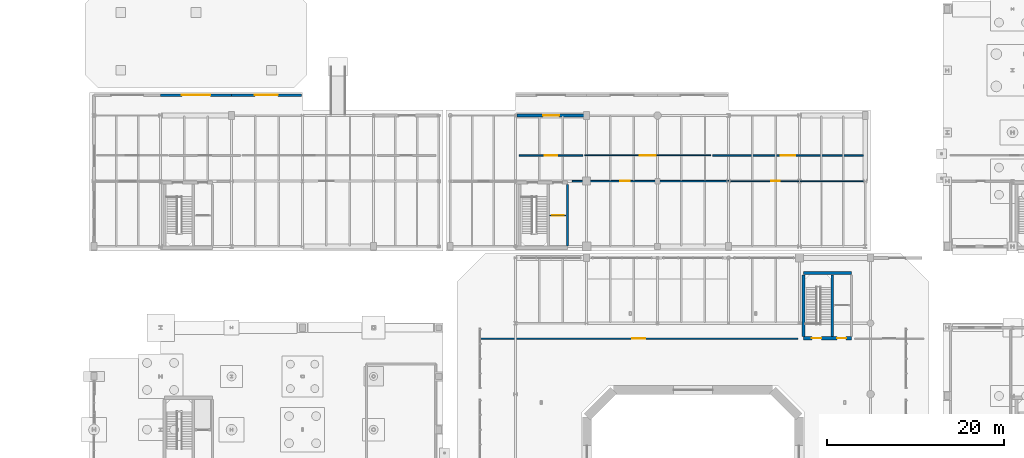
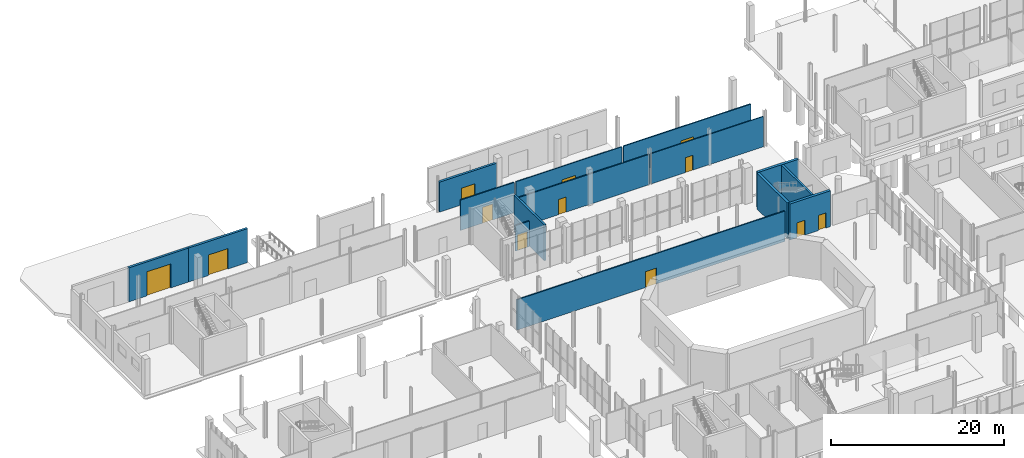
# One storey, part 70 of 87: 15 walls, 12 doors, 12 openings.
"""IFC4 building model written with IfcOpenShell, lengths in metres."""

import ifcopenshell
import ifcopenshell.guid

model = None  # the IFC model being written
_history = None  # IfcOwnerHistory: only IFC2X3 demands one
_inside = {}  # id of a spatial element -> (the spatial element, [elements in it])
_under = {}  # id of a project, library or spatial element -> (it, [spatial elements below it])
_declared = {}  # id of a project -> (the project, [libraries it declares])
_typed = {}  # id of a type object -> (the type object, [elements of that type])
_made_of = {}  # id of a material, layer set ... -> (it, [elements and type objects made of it])


def new_model(schema):
    """Start an empty IFC model of exactly this schema.

    Asked for "IFC4X3", IfcOpenShell would pick the latest addendum, in which some entities
    have other attributes; the version numbers below select the first issue.
    IFC2X3 requires an IfcOwnerHistory on every rooted entity: one is made here for all.
    """
    global model, _history
    if schema == "IFC4X3":
        model = ifcopenshell.file(schema_version=(4, 3, 0, 0))
    else:
        model = ifcopenshell.file(schema=schema)
    _inside.clear()
    _under.clear()
    _declared.clear()
    _typed.clear()
    _made_of.clear()
    _history = None
    if model.schema == "IFC2X3":
        org = make("IfcOrganization", Name="unknown")
        user = make(
            "IfcPersonAndOrganization",
            ThePerson=make("IfcPerson", FamilyName="unknown"),
            TheOrganization=org,
        )
        app = make(
            "IfcApplication",
            ApplicationDeveloper=org,
            Version="unknown",
            ApplicationFullName="unknown",
            ApplicationIdentifier="unknown",
        )
        _history = make(
            "IfcOwnerHistory",
            OwningUser=user,
            OwningApplication=app,
            ChangeAction="ADDED",
            CreationDate=0,
        )
    return model


def make(cls, **values):
    """One entity of the class cls with the attributes given. An attribute that is None is left unset."""
    return model.create_entity(
        cls, **{name: value for name, value in values.items() if value is not None}
    )


def rooted(cls, **values):
    """An entity with a GlobalId (a new one), such as an element, a storey or a relation."""
    return make(cls, GlobalId=ifcopenshell.guid.new(), OwnerHistory=_history, **values)


def si_unit(unit_type, name, prefix=None):
    """IfcSIUnit, for example si_unit("LENGTHUNIT", "METRE", prefix="MILLI")."""
    return make("IfcSIUnit", UnitType=unit_type, Prefix=prefix, Name=name)


def assignment(units):
    """IfcUnitAssignment: the units of a project."""
    return None if units is None else make("IfcUnitAssignment", Units=units)


def point(xyz):
    """IfcCartesianPoint."""
    return None if xyz is None else make("IfcCartesianPoint", Coordinates=xyz)


def direction(xyz):
    """IfcDirection."""
    return None if xyz is None else make("IfcDirection", DirectionRatios=xyz)


def frame(location, z_axis=None, x_axis=None):
    """IfcAxis2Placement3D, a coordinate frame: its origin and axes. An axis left out is left unset."""
    return make(
        "IfcAxis2Placement3D",
        Location=point(location),
        Axis=direction(z_axis),
        RefDirection=direction(x_axis),
    )


def frame_2d(location, x_axis=None):
    """IfcAxis2Placement2D, a coordinate frame in the plane: its origin and x axis."""
    return make(
        "IfcAxis2Placement2D", Location=point(location), RefDirection=direction(x_axis)
    )


def origin():
    """The frame at (0, 0, 0) with its axes left unset."""
    return frame((0.0, 0.0, 0.0))


def place(relative_to, where):
    """IfcLocalPlacement: puts the frame where relative to a parent placement (None: the world)."""
    return make(
        "IfcLocalPlacement", PlacementRelTo=relative_to, RelativePlacement=where
    )


def context(
    kind, dimensions, precision=None, world=None, true_north=None, identifier=None
):
    """IfcGeometricRepresentationContext, for example the 3D "Model" context."""
    return make(
        "IfcGeometricRepresentationContext",
        ContextIdentifier=identifier,
        ContextType=kind,
        CoordinateSpaceDimension=dimensions,
        Precision=precision,
        WorldCoordinateSystem=world,
        TrueNorth=true_north,
    )


def subcontext(parent, identifier, kind, view, scale=None):
    """IfcGeometricRepresentationSubContext, for example "Body" below "Model"."""
    return make(
        "IfcGeometricRepresentationSubContext",
        ContextIdentifier=identifier,
        ContextType=kind,
        ParentContext=parent,
        TargetScale=scale,
        TargetView=view,
    )


def project(units=None, contexts=None):
    """IfcProject with its units and contexts."""
    return rooted(
        "IfcProject",
        Name="project",
        RepresentationContexts=contexts,
        UnitsInContext=assignment(units),
    )


def spatial(cls, under=None, at=None, **own):
    """A site, building, storey or space (cls), placed at a placement, below another one or the project."""
    s = rooted(cls, ObjectPlacement=at, **own)
    if under is not None:
        _under.setdefault(under.id(), (under, []))[1].append(s)
    return s


def profile(cls, at=None, kind="AREA", **sizes):
    """A parametric profile (cls). Its sizes go by their IFC names, for example OverallWidth=200.0."""
    return make(cls, ProfileType=kind, Position=at, **sizes)


def rectangle(**sizes):
    """IfcRectangleProfileDef."""
    return profile("IfcRectangleProfileDef", **sizes)


def extrude(swept, where, along, depth):
    """IfcExtrudedAreaSolid: the profile swept, set in the frame where, extruded along a direction by depth."""
    return make(
        "IfcExtrudedAreaSolid",
        SweptArea=swept,
        Position=where,
        ExtrudedDirection=direction(along),
        Depth=depth,
    )


def shape(context_of_items, identifier, shape_type, items):
    """IfcShapeRepresentation: the items that make up one representation, for example the "Body"."""
    return make(
        "IfcShapeRepresentation",
        ContextOfItems=context_of_items,
        RepresentationIdentifier=identifier,
        RepresentationType=shape_type,
        Items=items,
    )


def material(Name=None, Category=None):
    """IfcMaterial."""
    return make("IfcMaterial", Name=Name, Category=Category)


def layer(
    of_material, thickness, ventilated=None, Name=None, Category=None, Priority=None
):
    """IfcMaterialLayer: one layer of a wall or slab, of a material (None: an air gap)."""
    return make(
        "IfcMaterialLayer",
        Material=of_material,
        LayerThickness=thickness,
        IsVentilated=ventilated,
        Name=Name,
        Category=Category,
        Priority=Priority,
    )


def layer_set(layers, Name=None):
    """IfcMaterialLayerSet."""
    return make("IfcMaterialLayerSet", MaterialLayers=layers, LayerSetName=Name)


def made_of(thing, what):
    """Note that an element or type object is made of a material, layer set ...; save() writes the relation."""
    if what is not None:
        _made_of.setdefault(what.id(), (what, []))[1].append(thing)
    return thing


def type_object(cls, material=None, **own):
    """A type object (cls), such as IfcWallType, which elements share."""
    return made_of(rooted(cls, **own), material)


def element(
    cls,
    number,
    at=None,
    inside=None,
    cuts=None,
    type_object=None,
    material=None,
    context=None,
    identifier="Body",
    shape_type=None,
    held_by="IfcProductDefinitionShape",
    body=None,
    shapes=None,
    **own,
):
    """One element of the class cls, such as IfcWall. Its Tag is "e" and its number.

    at: its placement. inside: the storey or other place that contains it. cuts: it is an
    opening in that element (IfcRelVoidsElement). A single representation is given by context,
    identifier, shape_type and body (its items); several are given by shapes. held_by: the class
    of the entity that holds the representations. save() writes the other relations.
    """
    e = rooted(cls, Tag="e%d" % number, ObjectPlacement=at, **own)
    if body is not None:
        shapes = [shape(context, identifier, shape_type, body)]
    if shapes is not None:
        e.Representation = make(held_by, Representations=shapes)
    if inside is not None:
        _inside.setdefault(inside.id(), (inside, []))[1].append(e)
    if cuts is not None:
        rooted(
            "IfcRelVoidsElement", RelatingBuildingElement=cuts, RelatedOpeningElement=e
        )
    if type_object is not None:
        _typed.setdefault(type_object.id(), (type_object, []))[1].append(e)
    return made_of(e, material)


def fill(opening, filler):
    """IfcRelFillsElement: the door or window that sits in an opening."""
    return rooted(
        "IfcRelFillsElement",
        RelatingOpeningElement=opening,
        RelatedBuildingElement=filler,
    )


def aggregate(whole, parts):
    """IfcRelAggregates: a whole, such as a stair, and the parts it consists of."""
    return rooted("IfcRelAggregates", RelatingObject=whole, RelatedObjects=parts)


def save(model, path):
    """Write the relations noted so far, then the file.

    IfcRelAggregates (storeys below a building ...), IfcRelContainedInSpatialStructure (elements
    in a storey), IfcRelDefinesByType, IfcRelAssociatesMaterial and IfcRelDeclares: one each for
    every whole, place, type object, material and project.
    """
    for whole, parts in _under.values():
        aggregate(whole, parts)
    for where, things in _inside.values():
        rooted(
            "IfcRelContainedInSpatialStructure",
            RelatedElements=things,
            RelatingStructure=where,
        )
    for kind, things in _typed.values():
        rooted("IfcRelDefinesByType", RelatedObjects=things, RelatingType=kind)
    for what, things in _made_of.values():
        rooted("IfcRelAssociatesMaterial", RelatedObjects=things, RelatingMaterial=what)
    for by, libraries in _declared.values():
        rooted("IfcRelDeclares", RelatingContext=by, RelatedDefinitions=libraries)
    model.write(path)


model = new_model("IFC4")

# Units and contexts
model_context = context("Model", 3, precision=1e-05, world=origin(), true_north=direction((0.0, 1.0)))
body_context = subcontext(model_context, "Body", "Model", "MODEL_VIEW")
ifc_project = project(units=[si_unit("LENGTHUNIT", "METRE"), si_unit("AREAUNIT", "SQUARE_METRE"), si_unit("VOLUMEUNIT", "CUBIC_METRE"), si_unit("PLANEANGLEUNIT", "RADIAN"), si_unit("MASSUNIT", "GRAM", prefix="KILO")], contexts=[model_context])

# Site, building, storey
site_placement = place(None, origin())
site = spatial("IfcSite", under=ifc_project, at=site_placement, CompositionType="ELEMENT")
building_placement = place(site_placement, origin())
building = spatial("IfcBuilding", under=site, at=building_placement, Name="Brisemont Oceanarium", CompositionType="ELEMENT")
storey_placement = place(building_placement, origin())
storey = spatial("IfcBuildingStorey", under=building, at=storey_placement, Name="L00", CompositionType="ELEMENT", Elevation=0.0)

# Wall, opening, door
ifc_material_1 = material(Name="Sierra Granite Ashlar Backup Concrete C35/45", Category="masonry")
ifc_layer_1 = layer(ifc_material_1, 0.300048828125)
ifc_layer_set_1 = layer_set([ifc_layer_1], Name="Sierra Granite Ashlar Backup Concrete C35/45")
wall_type_1 = type_object("IfcWallType", Name="EW-GRANITE-300", PredefinedType="STANDARD", material=ifc_layer_set_1)
wall_1_placement = place(storey_placement, frame((24.0, 97.699951171875, 0.0), z_axis=(0.0, 0.0, 1.0), x_axis=(1.0, 0.0, 0.0)))
wall_1 = element("IfcWall", 1, at=wall_1_placement, inside=storey, type_object=wall_type_1, Name="Beaux-Arts exterior wall EW-V7WDOCK-2", PredefinedType="STANDARD", context=body_context, shape_type="SweptSolid", body=[
    extrude(rectangle(XDim=8.0, YDim=0.300048828125, at=frame_2d((4.0, 0.0))), origin(), (0.0, 0.0, 1.0), 4.800048828125),
])
opening_1_placement = place(wall_1_placement, frame((2.39990234375, 0.0, 0.0)))
opening_1 = element("IfcOpeningElement", 2, at=opening_1_placement, cuts=wall_1, Name="Opening EX-G2", PredefinedType="OPENING", context=body_context, shape_type="SweptSolid", body=[
    extrude(rectangle(XDim=3.199951171875, YDim=3.39990234375, at=frame_2d((1.60009765625, 1.699951171875))), frame((0.0, 0.159912109375, 0.0), z_axis=(0.0, -1.0, 0.0), x_axis=(1.0, 0.0, 0.0)), (0.0, 0.0, 1.0), 0.320068359375),
])
ifc_material_2 = material(Name="Duplex Stainless Steel EN 1.4462", Category="steel")
door_type_1 = type_object("IfcDoorType", Name="DR-GATE-3200X3400", OperationType="NOTDEFINED", PredefinedType="GATE", material=ifc_material_2)
door_1_placement = place(opening_1_placement, origin())
door_1 = element("IfcDoor", 3, at=door_1_placement, inside=storey, type_object=door_type_1, Name="EX-G2 exterior entrance door 13", OperationType="DOUBLE_DOOR_SLIDING", OverallHeight=3.39990234375, OverallWidth=3.199951171875, PredefinedType="GATE", context=body_context, shape_type="SweptSolid", body=[
    extrude(rectangle(XDim=3.199951171875, YDim=3.39990234375, at=frame_2d((1.60009765625, 1.699951171875))), frame((0.0, 0.02490234375, 0.0), z_axis=(0.0, -1.0, 0.0), x_axis=(1.0, 0.0, 0.0)), (0.0, 0.0, 1.0), 0.050048828125),
])
fill(opening_1, door_1)

wall_2_placement = place(storey_placement, frame((32.0, 97.699951171875, 0.0), z_axis=(0.0, 0.0, 1.0), x_axis=(1.0, 0.0, 0.0)))
wall_2 = element("IfcWall", 4, at=wall_2_placement, inside=storey, type_object=wall_type_1, Name="Beaux-Arts exterior wall EW-V7WDOCK-3", PredefinedType="STANDARD", context=body_context, shape_type="SweptSolid", body=[
    extrude(rectangle(XDim=7.860107421875, YDim=0.300048828125, at=frame_2d((3.93017578125, 0.0))), origin(), (0.0, 0.0, 1.0), 4.800048828125),
])
opening_2_placement = place(wall_2_placement, frame((2.6298828125, 0.0, 0.0)))
opening_2 = element("IfcOpeningElement", 5, at=opening_2_placement, cuts=wall_2, Name="Opening EX-G3", PredefinedType="OPENING", context=body_context, shape_type="SweptSolid", body=[
    extrude(rectangle(XDim=2.60009765625, YDim=2.89990234375, at=frame_2d((1.300048828125, 1.449951171875))), frame((0.0, 0.159912109375, 0.0), z_axis=(0.0, -1.0, 0.0), x_axis=(1.0, 0.0, 0.0)), (0.0, 0.0, 1.0), 0.320068359375),
])
ifc_material_3 = material(Name="Duplex Stainless Steel EN 1.4462", Category="steel")
door_type_2 = type_object("IfcDoorType", Name="DR-GATE-2600X2900", OperationType="NOTDEFINED", PredefinedType="GATE", material=ifc_material_3)
door_2_placement = place(opening_2_placement, origin())
door_2 = element("IfcDoor", 6, at=door_2_placement, inside=storey, type_object=door_type_2, Name="EX-G3 exterior entrance door 14", OperationType="DOUBLE_DOOR_SLIDING", OverallHeight=2.89990234375, OverallWidth=2.60009765625, PredefinedType="GATE", context=body_context, shape_type="SweptSolid", body=[
    extrude(rectangle(XDim=2.60009765625, YDim=2.89990234375, at=frame_2d((1.300048828125, 1.449951171875))), frame((0.0, 0.02490234375, 0.0), z_axis=(0.0, -1.0, 0.0), x_axis=(1.0, 0.0, 0.0)), (0.0, 0.0, 1.0), 0.050048828125),
])
fill(opening_2, door_2)

wall_3_placement = place(storey_placement, frame((64.139892578125, 95.39990234375, 0.0), z_axis=(0.0, 0.0, 1.0), x_axis=(1.0, 0.0, 0.0)))
wall_3 = element("IfcWall", 7, at=wall_3_placement, inside=storey, type_object=wall_type_1, Name="Beaux-Arts exterior wall EW-C8-EXIT", PredefinedType="STANDARD", context=body_context, shape_type="SweptSolid", body=[
    extrude(rectangle(XDim=7.72021484375, YDim=0.300048828125, at=frame_2d((3.860107421875, 0.0))), origin(), (0.0, 0.0, 1.0), 4.239990234375),
])
opening_3_placement = place(wall_3_placement, frame((2.9599609375, 0.0, 0.0)))
opening_3 = element("IfcOpeningElement", 8, at=opening_3_placement, cuts=wall_3, Name="Opening EX-03", PredefinedType="OPENING", context=body_context, shape_type="SweptSolid", body=[
    extrude(rectangle(XDim=1.800048828125, YDim=2.35009765625, at=frame_2d((0.89990234375, 1.175048828125))), frame((0.0, 0.159912109375, 0.0), z_axis=(0.0, -1.0, 0.0), x_axis=(1.0, 0.0, 0.0)), (0.0, 0.0, 1.0), 0.320068359375),
])
ifc_material_4 = material(Name="Patinated Architectural Bronze C38500")
door_type_3 = type_object("IfcDoorType", Name="DR-EXT-1800X2350", OperationType="NOTDEFINED", PredefinedType="DOOR", material=ifc_material_4)
door_3_placement = place(opening_3_placement, origin())
door_3 = element("IfcDoor", 9, at=door_3_placement, inside=storey, type_object=door_type_3, Name="EX-03 exterior entrance door 27", OperationType="SINGLE_SWING_LEFT", OverallHeight=2.35009765625, OverallWidth=1.800048828125, PredefinedType="DOOR", context=body_context, shape_type="SweptSolid", body=[
    extrude(rectangle(XDim=1.800048828125, YDim=2.35009765625, at=frame_2d((0.89990234375, 1.175048828125))), frame((0.0, 0.02490234375, 0.0), z_axis=(0.0, -1.0, 0.0), x_axis=(1.0, 0.0, 0.0)), (0.0, 0.0, 1.0), 0.050048828125),
])
fill(opening_3, door_3)

ifc_material_5 = material(Name="Moisture-Resistant Gypsum Steel-Stud Partition", Category="steel")
ifc_layer_2 = layer(ifc_material_5, 0.159912109375)
ifc_layer_set_2 = layer_set([ifc_layer_2], Name="Moisture-Resistant Gypsum Steel-Stud Partition")
wall_type_2 = type_object("IfcWallType", Name="IW-FB-160", PredefinedType="PARTITIONING", material=ifc_layer_set_2)
wall_4_placement = place(storey_placement, frame((67.85009765625, 84.1298828125, 0.0), z_axis=(0.0, 0.0, 1.0), x_axis=(1.0, 0.0, 0.0)))
wall_4 = element("IfcWall", 10, at=wall_4_placement, inside=storey, type_object=wall_type_2, Name="Core C8 L00 lift hoistway front wall", PredefinedType="PARTITIONING", context=body_context, shape_type="SweptSolid", body=[
    extrude(rectangle(XDim=1.83984375, YDim=0.159912109375, at=frame_2d((0.919921875, 0.0))), origin(), (0.0, 0.0, 1.0), 3.60009765625),
])
opening_4_placement = place(wall_4_placement, frame((0.27001953125, 0.0, 0.0)))
opening_4 = element("IfcOpeningElement", 11, at=opening_4_placement, cuts=wall_4, Name="Opening LD-02", PredefinedType="OPENING", context=body_context, shape_type="SweptSolid", body=[
    extrude(rectangle(XDim=1.300048828125, YDim=2.199951171875, at=frame_2d((0.64990234375, 1.10009765625))), frame((0.0, 0.08984375, 0.0), z_axis=(0.0, -1.0, 0.0), x_axis=(1.0, 0.0, 0.0)), (0.0, 0.0, 1.0), 0.179931640625),
])
ifc_material_6 = material(Name="Duplex Stainless Steel EN 1.4462", Category="steel")
door_type_4 = type_object("IfcDoorType", Name="DR-LIFT-1300X2200", OperationType="NOTDEFINED", PredefinedType="DOOR", material=ifc_material_6)
door_4_placement = place(opening_4_placement, origin())
door_4 = element("IfcDoor", 12, at=door_4_placement, inside=storey, type_object=door_type_4, Name="Lift landing door L-08 L00", OperationType="SLIDING_TO_LEFT", OverallHeight=2.199951171875, OverallWidth=1.300048828125, PredefinedType="DOOR", context=body_context, shape_type="SweptSolid", body=[
    extrude(rectangle(XDim=1.300048828125, YDim=2.199951171875, at=frame_2d((0.64990234375, 1.10009765625))), frame((0.0, 0.02490234375, 0.0), z_axis=(0.0, -1.0, 0.0), x_axis=(1.0, 0.0, 0.0)), (0.0, 0.0, 1.0), 0.050048828125),
])
fill(opening_4, door_4)

wall_5_placement = place(storey_placement, frame((60.0, 70.25, 0.0), z_axis=(0.0, 0.0, 1.0), x_axis=(1.0, 0.0, 0.0)))
wall_5 = element("IfcWall", 13, at=wall_5_placement, inside=storey, type_object=wall_type_2, Name="Ocean Tank North Pelagic Exhibit Gallery corridor partition", PredefinedType="PARTITIONING", context=body_context, shape_type="SweptSolid", body=[
    extrude(rectangle(XDim=35.800048828125, YDim=0.159912109375, at=frame_2d((17.89990234375, 0.0))), origin(), (0.0, 0.0, 1.0), 4.287109375),
])
opening_5_placement = place(wall_5_placement, frame((17.175048828125, 0.0, 0.0)))
opening_5 = element("IfcOpeningElement", 14, at=opening_5_placement, cuts=wall_5, Name="Opening FD90-1", PredefinedType="OPENING", context=body_context, shape_type="SweptSolid", body=[
    extrude(rectangle(XDim=1.449951171875, YDim=2.25, at=frame_2d((0.72509765625, 1.125))), frame((0.0, 0.08984375, 0.0), z_axis=(0.0, -1.0, 0.0), x_axis=(1.0, 0.0, 0.0)), (0.0, 0.0, 1.0), 0.179931640625),
])
ifc_material_7 = material(Name="FSC White Oak Solid-Core Fire Door")
door_type_5 = type_object("IfcDoorType", Name="DR-LOB-1450X2250", OperationType="NOTDEFINED", PredefinedType="DOOR", material=ifc_material_7)
door_5_placement = place(opening_5_placement, origin())
door_5 = element("IfcDoor", 15, at=door_5_placement, inside=storey, type_object=door_type_5, Name="FD90-1 door to Ocean Tank North Pelagic Exhibit Gallery", OperationType="SINGLE_SWING_RIGHT", OverallHeight=2.25, OverallWidth=1.449951171875, PredefinedType="DOOR", context=body_context, shape_type="SweptSolid", body=[
    extrude(rectangle(XDim=1.449951171875, YDim=2.25, at=frame_2d((0.72509765625, 1.125))), frame((0.0, 0.02490234375, 0.0), z_axis=(0.0, -1.0, 0.0), x_axis=(1.0, 0.0, 0.0)), (0.0, 0.0, 1.0), 0.050048828125),
])
fill(opening_5, door_5)

wall_6_placement = place(storey_placement, frame((70.39990234375, 88.0, 0.0), z_axis=(0.0, 0.0, 1.0), x_axis=(1.0, 0.0, 0.0)))
wall_6 = element("IfcWall", 16, at=wall_6_placement, inside=storey, type_object=wall_type_2, Name="Life Support Heat Recovery Plant corridor partition", PredefinedType="PARTITIONING", context=body_context, shape_type="SweptSolid", body=[
    extrude(rectangle(XDim=17.60009765625, YDim=0.159912109375, at=frame_2d((8.800048828125, 0.0))), origin(), (0.0, 0.0, 1.0), 4.278076171875),
])
opening_6_placement = place(wall_6_placement, frame((5.4208984375, 0.0, 0.0)))
opening_6 = element("IfcOpeningElement", 17, at=opening_6_placement, cuts=wall_6, Name="Opening D-01", PredefinedType="OPENING", context=body_context, shape_type="SweptSolid", body=[
    extrude(rectangle(XDim=1.02001953125, YDim=2.14990234375, at=frame_2d((0.510009765625, 1.074951171875))), frame((0.0, 0.08984375, 0.0), z_axis=(0.0, -1.0, 0.0), x_axis=(1.0, 0.0, 0.0)), (0.0, 0.0, 1.0), 0.179931640625),
])
ifc_material_8 = material(Name="FSC White Oak Solid-Core Fire Door")
door_type_6 = type_object("IfcDoorType", Name="DR-RM-1020X2150", OperationType="NOTDEFINED", PredefinedType="DOOR", material=ifc_material_8)
door_6_placement = place(opening_6_placement, origin())
door_6 = element("IfcDoor", 18, at=door_6_placement, inside=storey, type_object=door_type_6, Name="D-01 door to Life Support Heat Recovery Plant", OperationType="SINGLE_SWING_LEFT", OverallHeight=2.14990234375, OverallWidth=1.02001953125, PredefinedType="DOOR", context=body_context, shape_type="SweptSolid", body=[
    extrude(rectangle(XDim=1.02001953125, YDim=2.14990234375, at=frame_2d((0.510009765625, 1.074951171875))), frame((0.0, 0.02490234375, 0.0), z_axis=(0.0, -1.0, 0.0), x_axis=(1.0, 0.0, 0.0)), (0.0, 0.0, 1.0), 0.050048828125),
])
fill(opening_6, door_6)

wall_7_placement = place(storey_placement, frame((64.39990234375, 90.89990234375, 0.0), z_axis=(0.0, 0.0, 1.0), x_axis=(1.0, 0.0, 0.0)))
wall_7 = element("IfcWall", 19, at=wall_7_placement, inside=storey, type_object=wall_type_2, Name="C8 Protected Exit Passageway corridor partition", PredefinedType="PARTITIONING", context=body_context, shape_type="SweptSolid", body=[
    extrude(rectangle(XDim=7.2001953125, YDim=0.159912109375, at=frame_2d((3.60009765625, 0.0))), origin(), (0.0, 0.0, 1.0), 4.2900390625),
])
opening_7_placement = place(wall_7_placement, frame((2.909912109375, 0.0, 0.0)))
opening_7 = element("IfcOpeningElement", 20, at=opening_7_placement, cuts=wall_7, Name="Opening PD-01", PredefinedType="OPENING", context=body_context, shape_type="SweptSolid", body=[
    extrude(rectangle(XDim=1.3798828125, YDim=2.25, at=frame_2d((0.68994140625, 1.125))), frame((0.0, 0.08984375, 0.0), z_axis=(0.0, -1.0, 0.0), x_axis=(1.0, 0.0, 0.0)), (0.0, 0.0, 1.0), 0.179931640625),
])
ifc_material_9 = material(Name="Duplex Stainless Steel EN 1.4462", Category="steel")
door_type_7 = type_object("IfcDoorType", Name="DR-PLT-1380X2250", OperationType="NOTDEFINED", PredefinedType="DOOR", material=ifc_material_9)
door_7_placement = place(opening_7_placement, origin())
door_7 = element("IfcDoor", 21, at=door_7_placement, inside=storey, type_object=door_type_7, Name="PD-01 door to C8 Protected Exit Passageway", OperationType="SINGLE_SWING_LEFT", OverallHeight=2.25, OverallWidth=1.3798828125, PredefinedType="DOOR", context=body_context, shape_type="SweptSolid", body=[
    extrude(rectangle(XDim=1.3798828125, YDim=2.25, at=frame_2d((0.68994140625, 1.125))), frame((0.0, 0.02490234375, 0.0), z_axis=(0.0, -1.0, 0.0), x_axis=(1.0, 0.0, 0.0)), (0.0, 0.0, 1.0), 0.050048828125),
])
fill(opening_7, door_7)

wall_8_placement = place(storey_placement, frame((86.199951171875, 90.89990234375, 0.0), z_axis=(0.0, 0.0, 1.0), x_axis=(1.0, 0.0, 0.0)))
wall_8 = element("IfcWall", 22, at=wall_8_placement, inside=storey, type_object=wall_type_2, Name="Life Support Emergency Power Plant corridor partition", PredefinedType="PARTITIONING", context=body_context, shape_type="SweptSolid", body=[
    extrude(rectangle(XDim=17.0, YDim=0.159912109375, at=frame_2d((8.5, 0.0))), origin(), (0.0, 0.0, 1.0), 4.287109375),
])
opening_8_placement = place(wall_8_placement, frame((7.675048828125, 0.0, 0.0)))
opening_8 = element("IfcOpeningElement", 23, at=opening_8_placement, cuts=wall_8, Name="Opening GD-02", PredefinedType="OPENING", context=body_context, shape_type="SweptSolid", body=[
    extrude(rectangle(XDim=1.64990234375, YDim=2.35009765625, at=frame_2d((0.824951171875, 1.175048828125))), frame((0.0, 0.08984375, 0.0), z_axis=(0.0, -1.0, 0.0), x_axis=(1.0, 0.0, 0.0)), (0.0, 0.0, 1.0), 0.179931640625),
])
ifc_material_10 = material(Name="Patinated Architectural Bronze C38500")
door_type_8 = type_object("IfcDoorType", Name="DR-GAL-1650X2350", OperationType="NOTDEFINED", PredefinedType="DOOR", material=ifc_material_10)
door_8_placement = place(opening_8_placement, origin())
door_8 = element("IfcDoor", 24, at=door_8_placement, inside=storey, type_object=door_type_8, Name="GD-02 door to Life Support Emergency Power Plant", OperationType="SINGLE_SWING_LEFT", OverallHeight=2.35009765625, OverallWidth=1.64990234375, PredefinedType="DOOR", context=body_context, shape_type="SweptSolid", body=[
    extrude(rectangle(XDim=1.64990234375, YDim=2.35009765625, at=frame_2d((0.824951171875, 1.175048828125))), frame((0.0, 0.02490234375, 0.0), z_axis=(0.0, -1.0, 0.0), x_axis=(1.0, 0.0, 0.0)), (0.0, 0.0, 1.0), 0.050048828125),
])
fill(opening_8, door_8)

ifc_material_11 = material(Name="Moisture-Resistant Gypsum Steel-Stud Partition", Category="steel")
ifc_layer_3 = layer(ifc_material_11, 0.1201171875)
ifc_layer_set_3 = layer_set([ifc_layer_3], Name="Moisture-Resistant Gypsum Steel-Stud Partition")
wall_type_3 = type_object("IfcWallType", Name="IW-PART-120", PredefinedType="PARTITIONING", material=ifc_layer_set_3)
wall_9_placement = place(storey_placement, frame((88.199951171875, 88.0, 0.0), z_axis=(0.0, 0.0, 1.0), x_axis=(1.0, 0.0, 0.0)))
wall_9 = element("IfcWall", 25, at=wall_9_placement, inside=storey, type_object=wall_type_3, Name="Life Support Seawater UV Plant corridor partition", PredefinedType="PARTITIONING", context=body_context, shape_type="SweptSolid", body=[
    extrude(rectangle(XDim=15.0, YDim=0.1201171875, at=frame_2d((7.5, 0.0))), origin(), (0.0, 0.0, 1.0), 4.278076171875),
])
opening_9_placement = place(wall_9_placement, frame((4.60791015625, 0.0, 0.0)))
opening_9 = element("IfcOpeningElement", 26, at=opening_9_placement, cuts=wall_9, Name="Opening D-02", PredefinedType="OPENING", context=body_context, shape_type="SweptSolid", body=[
    extrude(rectangle(XDim=0.9599609375, YDim=2.10009765625, at=frame_2d((0.47998046875, 1.050048828125))), frame((0.0, 0.070068359375, 0.0), z_axis=(0.0, -1.0, 0.0), x_axis=(1.0, 0.0, 0.0)), (0.0, 0.0, 1.0), 0.14013671875),
])
ifc_material_12 = material(Name="FSC White Oak Solid-Core Fire Door")
door_type_9 = type_object("IfcDoorType", Name="DR-RM-960X2100", OperationType="NOTDEFINED", PredefinedType="DOOR", material=ifc_material_12)
door_9_placement = place(opening_9_placement, origin())
door_9 = element("IfcDoor", 27, at=door_9_placement, inside=storey, type_object=door_type_9, Name="D-02 door to Life Support Seawater UV Plant", OperationType="SINGLE_SWING_RIGHT", OverallHeight=2.10009765625, OverallWidth=0.9599609375, PredefinedType="DOOR", context=body_context, shape_type="SweptSolid", body=[
    extrude(rectangle(XDim=0.9599609375, YDim=2.10009765625, at=frame_2d((0.47998046875, 1.050048828125))), frame((0.0, 0.02490234375, 0.0), z_axis=(0.0, -1.0, 0.0), x_axis=(1.0, 0.0, 0.0)), (0.0, 0.0, 1.0), 0.050048828125),
])
fill(opening_9, door_9)

wall_10_placement = place(storey_placement, frame((71.800048828125, 90.89990234375, 0.0), z_axis=(0.0, 0.0, 1.0), x_axis=(1.0, 0.0, 0.0)))
wall_10 = element("IfcWall", 28, at=wall_10_placement, inside=storey, type_object=wall_type_3, Name="Life Support Main Pumping Plant corridor partition", PredefinedType="PARTITIONING", context=body_context, shape_type="SweptSolid", body=[
    extrude(rectangle(XDim=14.199951171875, YDim=0.1201171875, at=frame_2d((7.10009765625, 0.0))), origin(), (0.0, 0.0, 1.0), 4.278076171875),
])
opening_10_placement = place(wall_10_placement, frame((6.199951171875, 0.0, 0.0)))
opening_10 = element("IfcOpeningElement", 29, at=opening_10_placement, cuts=wall_10, Name="Opening GD-01", PredefinedType="OPENING", context=body_context, shape_type="SweptSolid", body=[
    extrude(rectangle(XDim=1.800048828125, YDim=2.39990234375, at=frame_2d((0.89990234375, 1.199951171875))), frame((0.0, 0.070068359375, 0.0), z_axis=(0.0, -1.0, 0.0), x_axis=(1.0, 0.0, 0.0)), (0.0, 0.0, 1.0), 0.14013671875),
])
ifc_material_13 = material(Name="Patinated Architectural Bronze C38500")
door_type_10 = type_object("IfcDoorType", Name="DR-GAL-1800X2400", OperationType="NOTDEFINED", PredefinedType="DOOR", material=ifc_material_13)
door_10_placement = place(opening_10_placement, origin())
door_10 = element("IfcDoor", 30, at=door_10_placement, inside=storey, type_object=door_type_10, Name="GD-01 door to Life Support Main Pumping Plant", OperationType="SINGLE_SWING_RIGHT", OverallHeight=2.39990234375, OverallWidth=1.800048828125, PredefinedType="DOOR", context=body_context, shape_type="SweptSolid", body=[
    extrude(rectangle(XDim=1.800048828125, YDim=2.39990234375, at=frame_2d((0.89990234375, 1.199951171875))), frame((0.0, 0.02490234375, 0.0), z_axis=(0.0, -1.0, 0.0), x_axis=(1.0, 0.0, 0.0)), (0.0, 0.0, 1.0), 0.050048828125),
])
fill(opening_10, door_10)

# Walls
ifc_material_14 = material(Name="Concrete C40/50", Category="concrete")
ifc_layer_4 = layer(ifc_material_14, 0.260009765625)
ifc_layer_set_4 = layer_set([ifc_layer_4], Name="Concrete C40/50")
wall_type_4 = type_object("IfcWallType", Name="SW-SHAFT-260", PredefinedType="SHEAR", material=ifc_layer_set_4)
for number, where, z_axis, x_axis, name in (
    (31, (99.669921875, 70.5, 0.0), (0.0, 0.0, 1.0), (0.0, 1.0, 0.0), "Core C2 L00 MID RC shear wall"),
    (32, (69.85009765625, 80.699951171875, 0.0), (0.0, 0.0, 1.0), (0.0, 1.0, 0.0), "Core C8 L00 E RC shear wall"),
):
    element("IfcWall", number, at=place(storey_placement, frame(where, z_axis=z_axis, x_axis=x_axis)), inside=storey, type_object=wall_type_4, Name=name, PredefinedType="SHEAR", context=body_context, shape_type="SweptSolid", body=[
        extrude(rectangle(XDim=6.949951171875, YDim=0.260009765625, at=frame_2d((3.47509765625, 0.0))), origin(), (0.0, 0.0, 1.0), 5.070068359375),
    ])

# Wall, openings, doors
ifc_material_15 = material(Name="Concrete C40/50", Category="concrete")
ifc_layer_5 = layer(ifc_material_15, 0.35009765625)
ifc_layer_set_5 = layer_set([ifc_layer_5], Name="Concrete C40/50")
wall_type_5 = type_object("IfcWallType", Name="SW-STAIR-350", PredefinedType="SHEAR", material=ifc_layer_set_5)
wall_11_placement = place(storey_placement, frame((96.449951171875, 70.300048828125, 0.0), z_axis=(0.0, 0.0, 1.0), x_axis=(1.0, 0.0, 0.0)))
wall_11 = element("IfcWall", 33, at=wall_11_placement, inside=storey, type_object=wall_type_5, Name="Core C2 L00 corridor RC shear wall", PredefinedType="SHEAR", context=body_context, shape_type="SweptSolid", body=[
    extrude(rectangle(XDim=5.400146484375, YDim=0.35009765625, at=frame_2d((2.7001953125, 0.0))), origin(), (0.0, 0.0, 1.0), 5.070068359375),
])
opening_11_placement = place(wall_11_placement, frame((0.949951171875, 0.0, 0.0)))
opening_11 = element("IfcOpeningElement", 34, at=opening_11_placement, cuts=wall_11, Name="Opening SD-02", PredefinedType="OPENING", context=body_context, shape_type="SweptSolid", body=[
    extrude(rectangle(XDim=1.050048828125, YDim=2.10009765625, at=frame_2d((0.52490234375, 1.050048828125))), frame((0.0, 0.18505859375, 0.0), z_axis=(0.0, -1.0, 0.0), x_axis=(1.0, 0.0, 0.0)), (0.0, 0.0, 1.0), 0.3701171875),
])
opening_12_placement = place(wall_11_placement, frame((3.800048828125, 0.0, 0.0)))
opening_12 = element("IfcOpeningElement", 35, at=opening_12_placement, cuts=wall_11, Name="Opening FD90-2", PredefinedType="OPENING", context=body_context, shape_type="SweptSolid", body=[
    extrude(rectangle(XDim=1.0, YDim=2.14990234375, at=frame_2d((0.5, 1.074951171875))), frame((0.0, 0.18505859375, 0.0), z_axis=(0.0, -1.0, 0.0), x_axis=(1.0, 0.0, 0.0)), (0.0, 0.0, 1.0), 0.3701171875),
])
ifc_material_16 = material(Name="FSC White Oak Solid-Core Fire Door")
door_type_11 = type_object("IfcDoorType", Name="DR-LOB-1000X2150", OperationType="NOTDEFINED", PredefinedType="DOOR", material=ifc_material_16)
door_11_placement = place(opening_12_placement, origin())
door_11 = element("IfcDoor", 36, at=door_11_placement, inside=storey, type_object=door_type_11, Name="Lift lobby door C2 L00", OperationType="SINGLE_SWING_LEFT", OverallHeight=2.14990234375, OverallWidth=1.0, PredefinedType="DOOR", context=body_context, shape_type="SweptSolid", body=[
    extrude(rectangle(XDim=1.0, YDim=2.14990234375, at=frame_2d((0.5, 1.074951171875))), frame((0.0, 0.02490234375, 0.0), z_axis=(0.0, -1.0, 0.0), x_axis=(1.0, 0.0, 0.0)), (0.0, 0.0, 1.0), 0.050048828125),
])
fill(opening_12, door_11)
ifc_material_17 = material(Name="Duplex Stainless Steel EN 1.4462", Category="steel")
door_type_12 = type_object("IfcDoorType", Name="DR-STAIR-1050X2100", OperationType="NOTDEFINED", PredefinedType="DOOR", material=ifc_material_17)
door_12_placement = place(opening_11_placement, origin())
door_12 = element("IfcDoor", 37, at=door_12_placement, inside=storey, type_object=door_type_12, Name="Exit stair door ST-02 L00", OperationType="SINGLE_SWING_RIGHT", OverallHeight=2.10009765625, OverallWidth=1.050048828125, PredefinedType="DOOR", context=body_context, shape_type="SweptSolid", body=[
    extrude(rectangle(XDim=1.050048828125, YDim=2.10009765625, at=frame_2d((0.52490234375, 1.050048828125))), frame((0.0, 0.02490234375, 0.0), z_axis=(0.0, -1.0, 0.0), x_axis=(1.0, 0.0, 0.0)), (0.0, 0.0, 1.0), 0.050048828125),
])
fill(opening_11, door_12)

# Walls
wall_12_placement = place(storey_placement, frame((96.449951171875, 77.64990234375, 0.0), z_axis=(0.0, 0.0, 1.0), x_axis=(1.0, 0.0, 0.0)))
element("IfcWall", 38, at=wall_12_placement, inside=storey, type_object=wall_type_5, Name="Core C2 L00 BCK RC shear wall", PredefinedType="SHEAR", context=body_context, shape_type="SweptSolid", body=[
    extrude(rectangle(XDim=5.400146484375, YDim=0.35009765625, at=frame_2d((2.7001953125, 0.0))), origin(), (0.0, 0.0, 1.0), 5.070068359375),
])
wall_13_placement = place(storey_placement, frame((96.449951171875, 70.5, 0.0), z_axis=(0.0, 0.0, 1.0), x_axis=(0.0, 1.0, 0.0)))
element("IfcWall", 39, at=wall_13_placement, inside=storey, type_object=wall_type_5, Name="Core C2 L00 W RC shear wall", PredefinedType="SHEAR", context=body_context, shape_type="SweptSolid", body=[
    extrude(rectangle(XDim=6.949951171875, YDim=0.35009765625, at=frame_2d((3.47509765625, 0.0))), origin(), (0.0, 0.0, 1.0), 5.070068359375),
])

save(model, "model.ifc")
